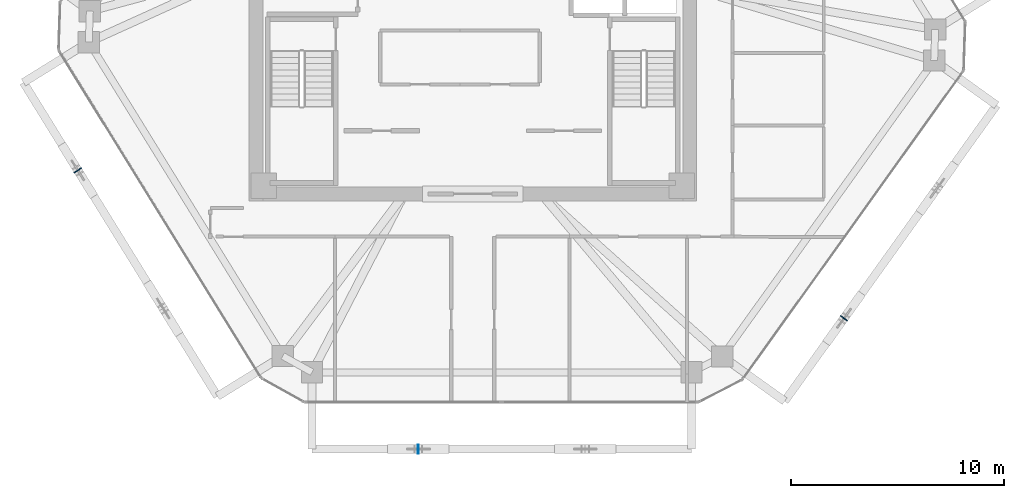
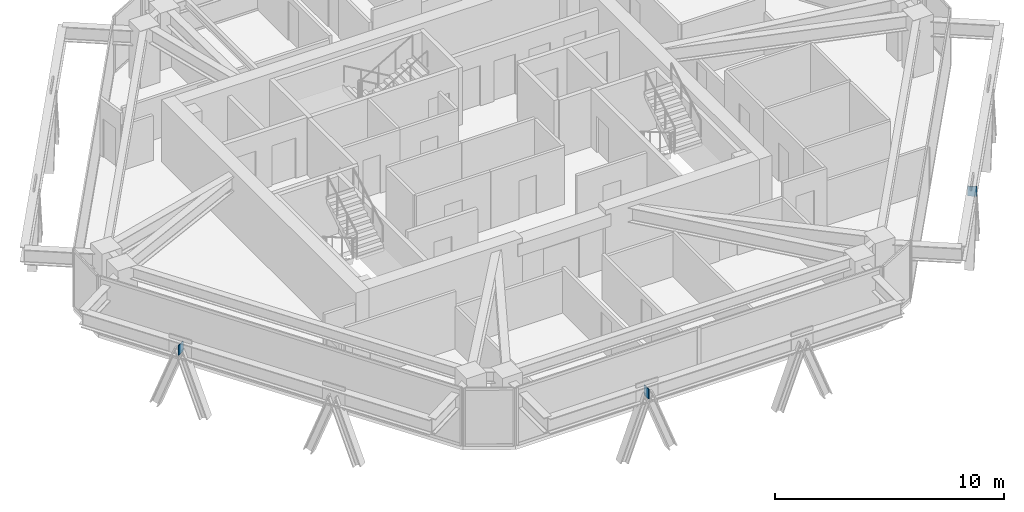
# One storey, part 8 of 14: 3 plates.
"""IFC4 building model written with IfcOpenShell, lengths in metres."""

from ifc_helpers import new_model, si_unit, direction, frame, origin, origin_2d, place, context, subcontext, project, spatial, rectangle, extrude, source, transform, mapped, material, layer, layer_set, type_object, type_shapes, element, save


model = new_model("IFC4")

# Units and contexts
model_context = context("Model", 3, precision=1e-05, world=origin(), true_north=direction((0.0, 1.0)))
body_context = subcontext(model_context, "Body", "Model", "MODEL_VIEW")
ifc_project = project(units=[si_unit("LENGTHUNIT", "METRE"), si_unit("AREAUNIT", "SQUARE_METRE"), si_unit("VOLUMEUNIT", "CUBIC_METRE"), si_unit("PLANEANGLEUNIT", "RADIAN"), si_unit("MASSUNIT", "GRAM", prefix="KILO")], contexts=[model_context])

# Site, building, storey
site_placement = place(None, origin())
site = spatial("IfcSite", under=ifc_project, at=site_placement, CompositionType="ELEMENT")
building_placement = place(site_placement, origin())
building = spatial("IfcBuilding", under=site, at=building_placement, Name="Durnholm Broadcast Tower", CompositionType="ELEMENT")
storey_placement = place(building_placement, frame((0.0, 0.0, 173.800048828125)))
storey = spatial("IfcBuildingStorey", under=building, at=storey_placement, Name="L47", CompositionType="ELEMENT", Elevation=173.800048828125)

# Plates
ifc_material = material(Name="Steel ASTM A572 Grade 50", Category="steel")
ifc_layer = layer(ifc_material, 0.044921875)
ifc_layer_set = layer_set([ifc_layer], Name="Steel ASTM A572 Grade 50")
plate_type = type_object("IfcPlateType", Name="PLT-KN-STIF", PredefinedType="SHEET", material=ifc_layer_set)
shared_shape = source(origin(), body_context, "Body", "SweptSolid", [
    extrude(rectangle(XDim=0.044921875, YDim=0.419921875, at=origin_2d()), origin(), (0.0, 0.0, 1.0), 0.52001953125),
])
type_shapes(plate_type, [shared_shape])
for number, where, z_axis, x_axis, name in (
    (1, (-2.556640625, -20.14208984375, 2.048583984375), (0.0, 0.0, 1.0), (1.0, 0.0, 0.0), "L47 welded diagrid node stiffener plate F1"),
    (2, (17.40966796875, -14.009521484375, 2.048583984375), (0.0, 0.0, 1.0), (0.582122970157, 0.813100761047, 0.0), "L47 welded diagrid node stiffener plate F2"),
    (3, (-18.5244140625, -7.07080078125, 2.048583984375), (0.0, 0.0, 1.0), (0.525768608156, -0.850627633385, 0.0), "L47 welded diagrid node stiffener plate F6"),
):
    element("IfcPlate", number, at=place(storey_placement, frame(where, z_axis=z_axis, x_axis=x_axis)), inside=storey, type_object=plate_type, Name=name, PredefinedType="SHEET", context=body_context, shape_type="MappedRepresentation", body=[
        mapped(shared_shape, transform((0.0, 0.0, 0.0), x_axis=(1.0, 0.0, 0.0), y_axis=(0.0, 1.0, 0.0), z_axis=(0.0, 0.0, 1.0), scale=1.0)),
    ])

save(model, "model.ifc")
